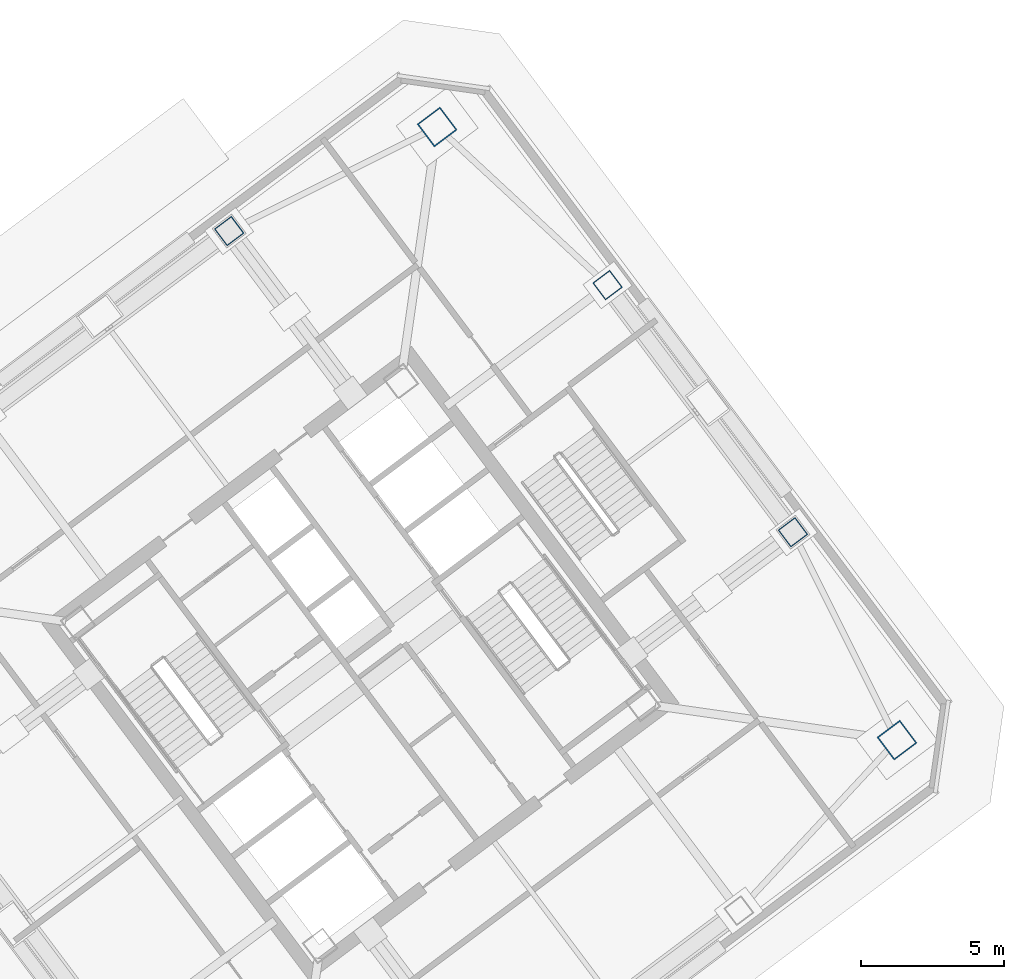
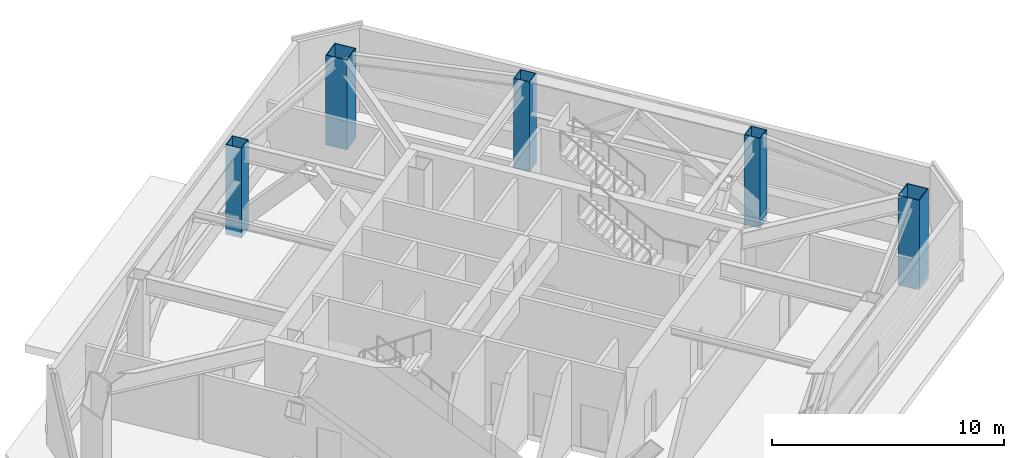
# One storey, part 2 of 15: 5 columns.
"""IFC4 building model written with IfcOpenShell, lengths in metres."""

from ifc_helpers import new_model, si_unit, direction, frame, origin, origin_2d, place, context, subcontext, project, spatial, hollow_rectangle, extrude, material, material_profile, profile_set, type_object, element, save


model = new_model("IFC4")

# Units and contexts
model_context = context("Model", 3, precision=1e-05, world=origin(), true_north=direction((0.0, 1.0)))
body_context = subcontext(model_context, "Body", "Model", "MODEL_VIEW")
ifc_project = project(units=[si_unit("LENGTHUNIT", "METRE"), si_unit("AREAUNIT", "SQUARE_METRE"), si_unit("VOLUMEUNIT", "CUBIC_METRE"), si_unit("PLANEANGLEUNIT", "RADIAN"), si_unit("MASSUNIT", "GRAM", prefix="KILO")], contexts=[model_context])

# Site, building, storey
site_placement = place(None, origin())
site = spatial("IfcSite", under=ifc_project, at=site_placement, CompositionType="ELEMENT")
building_placement = place(site_placement, origin())
building = spatial("IfcBuilding", under=site, at=building_placement, Name="Tashvorn Skyway Center", CompositionType="ELEMENT")
storey_placement = place(building_placement, frame((0.0, 0.0, 199.60009765625)))
storey = spatial("IfcBuildingStorey", under=building, at=storey_placement, Name="L54", CompositionType="ELEMENT", Elevation=199.60009765625)

# Columns
ifc_material = material(Name="Steel ASTM A572 Grade 50", Category="steel")
ifc_material_profile_1 = material_profile(ifc_material, hollow_rectangle(XDim=1.0, YDim=1.0, WallThickness=0.0400390625, at=origin_2d()), Name="BOX1000x1000x40")
ifc_profile_set_1 = profile_set([ifc_material_profile_1], Name="Steel ASTM A572 Grade 50")
column_type_1 = type_object("IfcColumnType", Name="COL-BOX1000x1000x40", PredefinedType="COLUMN", material=ifc_profile_set_1)
for number, where, z_axis, x_axis, name in (
    (1, (132.760009765625, 29.320068359375, -0.295166015625), (0.0, 0.0, 1.0), (0.799999996291, 0.600000004945, 0.0), "Tower 2 L54 Mega-Column MC-SE"),
    (2, (116.679931640625, 50.760009765625, -0.295166015625), (0.0, 0.0, 1.0), (0.799999996291, 0.600000004945, 0.0), "Tower 2 L54 Mega-Column MC-NE"),
):
    element("IfcColumn", number, at=place(storey_placement, frame(where, z_axis=z_axis, x_axis=x_axis)), inside=storey, type_object=column_type_1, Name=name, PredefinedType="COLUMN", context=body_context, shape_type="SweptSolid", body=[
        extrude(hollow_rectangle(XDim=1.0, YDim=1.0, WallThickness=0.0400390625, at=origin_2d()), origin(), (0.0, 0.0, 1.0), 4.715087890625),
    ])
ifc_material_profile_2 = material_profile(ifc_material, hollow_rectangle(XDim=0.75, YDim=0.75, WallThickness=0.031982421875, at=origin_2d()), Name="BOX750x750x32")
ifc_profile_set_2 = profile_set([ifc_material_profile_2], Name="Steel ASTM A572 Grade 50")
column_type_2 = type_object("IfcColumnType", Name="COL-BOX750x750x32", PredefinedType="COLUMN", material=ifc_profile_set_2)
for number, where, z_axis, x_axis, name in (
    (3, (129.1201171875, 36.590087890625, -0.295166015625), (0.0, 0.0, 1.0), (0.799999996291, 0.600000004945, 0.0), "Tower 2 L54 Perimeter Column FC-E1"),
    (4, (122.639892578125, 45.22998046875, -0.295166015625), (0.0, 0.0, 1.0), (0.799999996291, 0.600000004945, 0.0), "Tower 2 L54 Perimeter Column FC-E2"),
    (5, (109.409912109375, 47.1201171875, -0.295166015625), (0.0, 0.0, 1.0), (0.799999996291, 0.600000004945, 0.0), "Tower 2 L54 Perimeter Column FC-N1"),
):
    element("IfcColumn", number, at=place(storey_placement, frame(where, z_axis=z_axis, x_axis=x_axis)), inside=storey, type_object=column_type_2, Name=name, PredefinedType="COLUMN", context=body_context, shape_type="SweptSolid", body=[
        extrude(hollow_rectangle(XDim=0.75, YDim=0.75, WallThickness=0.031982421875, at=origin_2d()), origin(), (0.0, 0.0, 1.0), 4.715087890625),
    ])

save(model, "model.ifc")
